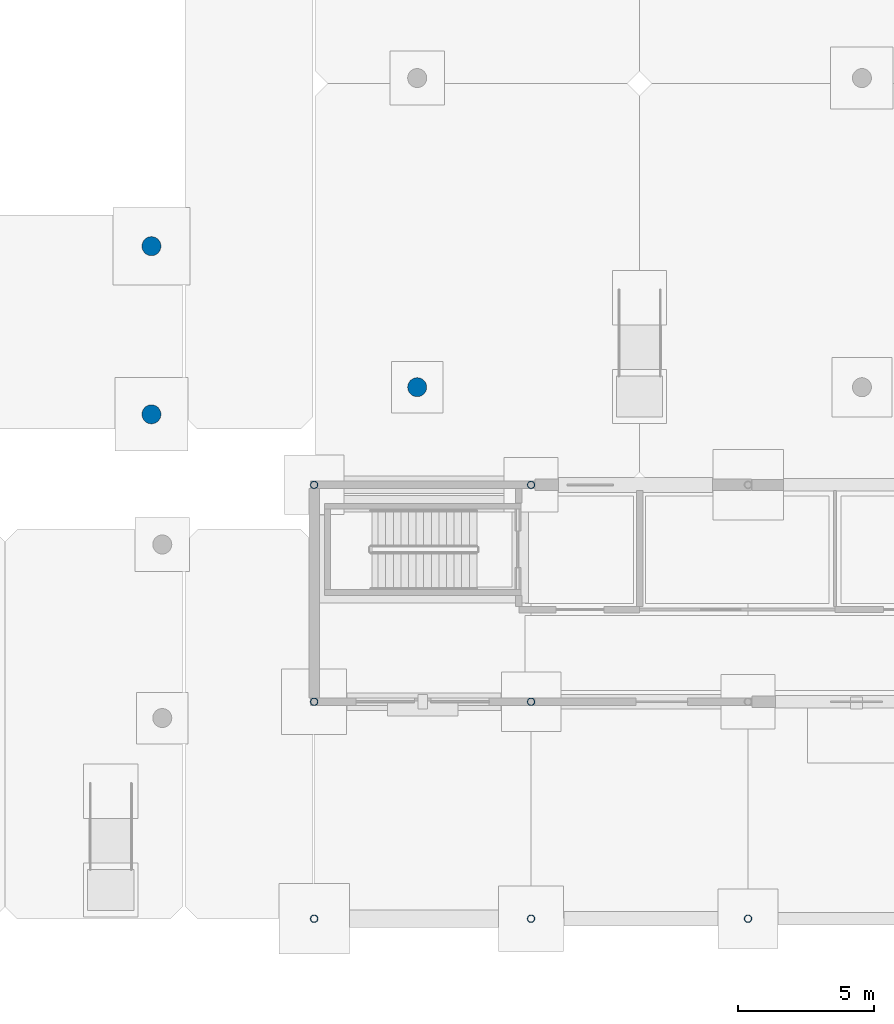
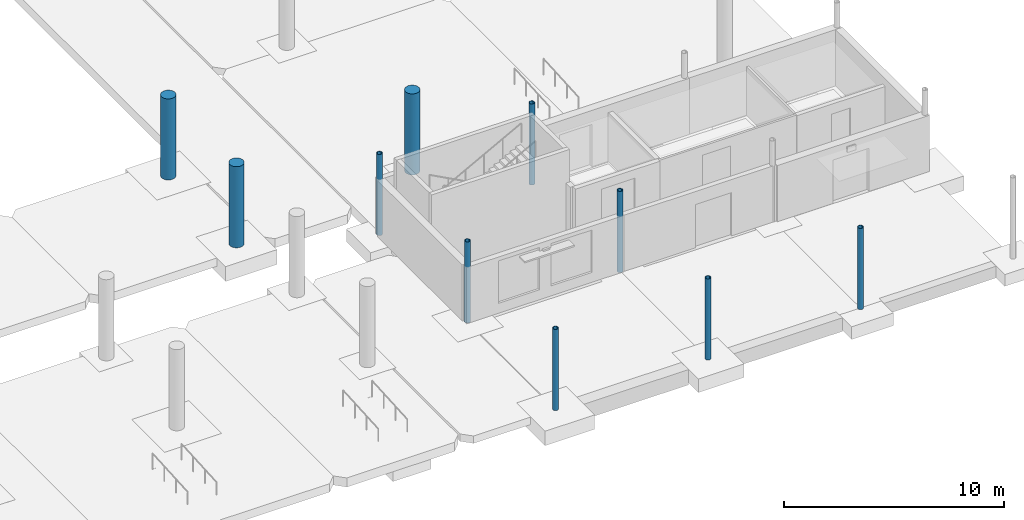
# One storey, part 9 of 63: 10 columns.
"""IFC4 building model written with IfcOpenShell, lengths in metres."""

from ifc_helpers import new_model, si_unit, direction, frame, origin, origin_2d, place, context, subcontext, project, spatial, circle, hollow_circle, extrude, material, material_profile, profile_set, type_object, element, save


model = new_model("IFC4")

# Units and contexts
model_context = context("Model", 3, precision=1e-05, world=origin(), true_north=direction((0.0, 1.0)))
body_context = subcontext(model_context, "Body", "Model", "MODEL_VIEW")
ifc_project = project(units=[si_unit("LENGTHUNIT", "METRE"), si_unit("AREAUNIT", "SQUARE_METRE"), si_unit("VOLUMEUNIT", "CUBIC_METRE"), si_unit("PLANEANGLEUNIT", "RADIAN"), si_unit("MASSUNIT", "GRAM", prefix="KILO")], contexts=[model_context])

# Site, building, storey
site_placement = place(None, origin())
site = spatial("IfcSite", under=ifc_project, at=site_placement, CompositionType="ELEMENT")
building_placement = place(site_placement, origin())
building = spatial("IfcBuilding", under=site, at=building_placement, Name="Serraforn Aerial Cableway Station", CompositionType="ELEMENT")
storey_placement = place(building_placement, origin())
storey = spatial("IfcBuildingStorey", under=building, at=storey_placement, Name="L00", CompositionType="ELEMENT", Elevation=0.0)

# Columns
ifc_material_1 = material(Name="Concrete C35/45", Category="concrete")
ifc_material_profile_1 = material_profile(ifc_material_1, circle(Radius=0.35009765625, at=origin_2d()), Name="RC D700")
ifc_profile_set_1 = profile_set([ifc_material_profile_1], Name="Concrete C35/45")
column_type_1 = type_object("IfcColumnType", Name="COL-RC-D700", PredefinedType="COLUMN", material=ifc_profile_set_1)
for number, where, z_axis, x_axis, name in (
    (1, (138.0, 18.60009765625, 0.0), (0.0, 0.0, 1.0), (1.0, 0.0, 0.0), "Art Deco Colonnade Pier C-4-1"),
    (2, (138.0, 24.800048828125, 0.0), (0.0, 0.0, 1.0), (1.0, 0.0, 0.0), "Art Deco Colonnade Pier C-4-2"),
    (3, (147.800048828125, 19.60009765625, 0.0), (0.0, 0.0, 1.0), (1.0, 0.0, 0.0), "Art Deco Colonnade Pier EF-1-1"),
):
    element("IfcColumn", number, at=place(storey_placement, frame(where, z_axis=z_axis, x_axis=x_axis)), inside=storey, type_object=column_type_1, Name=name, PredefinedType="COLUMN", context=body_context, shape_type="SweptSolid", body=[
        extrude(circle(Radius=0.35009765625, at=origin_2d()), origin(), (0.0, 0.0, 1.0), 4.5),
    ])
ifc_material_2 = material(Name="Steel S355J2", Category="steel")
ifc_material_profile_2 = material_profile(ifc_material_2, hollow_circle(Radius=0.136474609375, WallThickness=0.012451171875, at=origin_2d()), Name="CHS 273.0x12.5")
ifc_profile_set_2 = profile_set([ifc_material_profile_2], Name="Steel S355J2")
column_type_2 = type_object("IfcColumnType", Name="COL-ST-CHS273", PredefinedType="COLUMN", material=ifc_profile_set_2)
for number, where, z_axis, x_axis, name in (
    (4, (144.0, 0.0, 0.0), (0.0, 0.0, 1.0), (1.0, 0.0, 0.0), "Column ES L00 19-A"),
    (5, (144.0, 8.0, 0.0), (0.0, 0.0, 1.0), (1.0, 0.0, 0.0), "Column ES L00 19-B0"),
    (6, (144.0, 16.0, 0.0), (0.0, 0.0, 1.0), (1.0, 0.0, 0.0), "Column ES L00 19-B3"),
    (7, (152.0, 0.0, 0.0), (0.0, 0.0, 1.0), (1.0, 0.0, 0.0), "Column ES L00 20-A"),
    (8, (152.0, 8.0, 0.0), (0.0, 0.0, 1.0), (1.0, 0.0, 0.0), "Column ES L00 20-B0"),
    (9, (152.0, 16.0, 0.0), (0.0, 0.0, 1.0), (1.0, 0.0, 0.0), "Column ES L00 20-B3"),
    (10, (160.0, 0.0, 0.0), (0.0, 0.0, 1.0), (1.0, 0.0, 0.0), "Column ES L00 21-A"),
):
    element("IfcColumn", number, at=place(storey_placement, frame(where, z_axis=z_axis, x_axis=x_axis)), inside=storey, type_object=column_type_2, Name=name, PredefinedType="COLUMN", context=body_context, shape_type="SweptSolid", body=[
        extrude(hollow_circle(Radius=0.136474609375, WallThickness=0.012451171875, at=origin_2d()), origin(), (0.0, 0.0, 1.0), 4.5),
    ])

save(model, "model.ifc")
